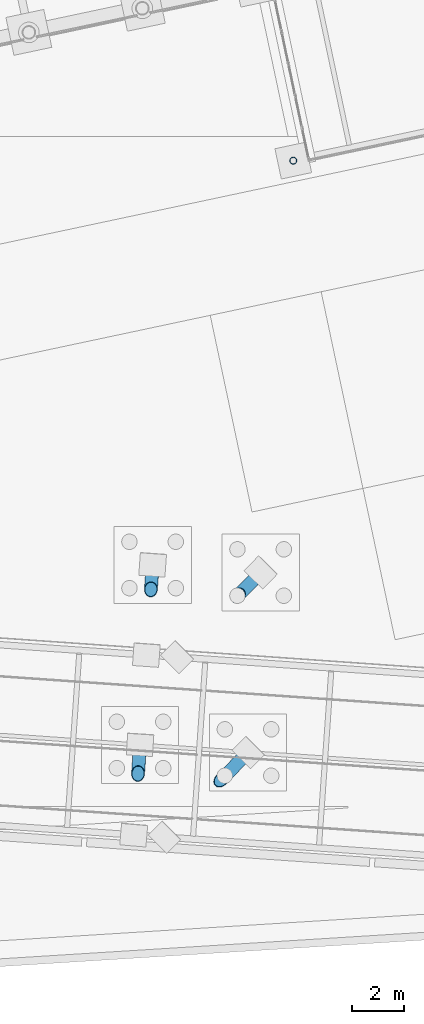
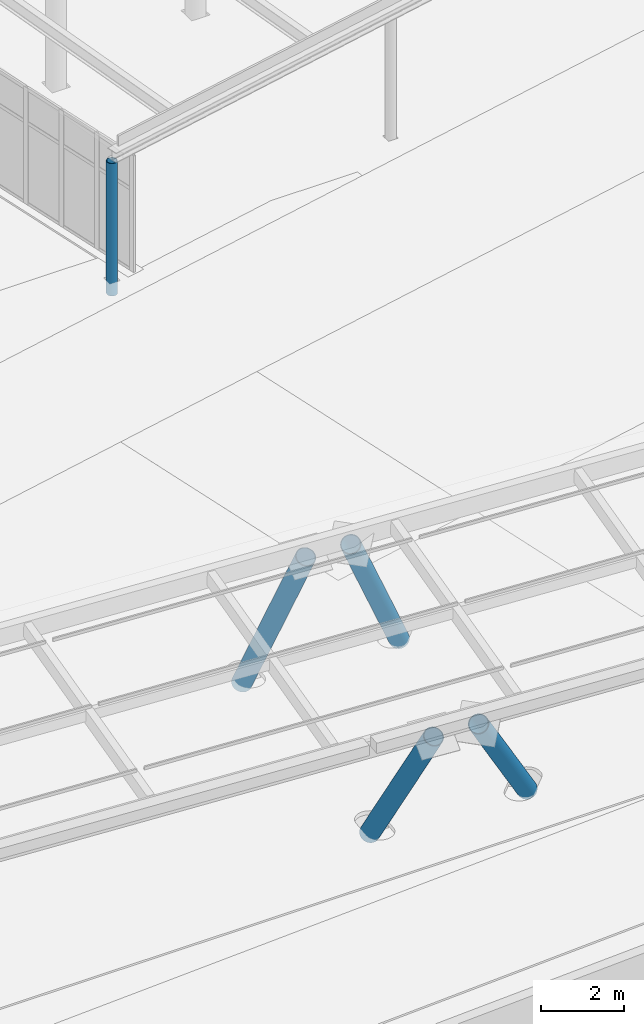
# One storey, part 13 of 239: 5 columns.
"""IFC4 building model written with IfcOpenShell, lengths in metres."""

from ifc_helpers import new_model, si_unit, direction, frame, origin, origin_2d, place, context, subcontext, project, spatial, hollow_circle, extrude, material, material_profile, profile_set, type_object, element, save


model = new_model("IFC4")

# Units and contexts
model_context = context("Model", 3, precision=1e-05, world=origin(), true_north=direction((0.0, 1.0)))
body_context = subcontext(model_context, "Body", "Model", "MODEL_VIEW")
ifc_project = project(units=[si_unit("LENGTHUNIT", "METRE"), si_unit("AREAUNIT", "SQUARE_METRE"), si_unit("VOLUMEUNIT", "CUBIC_METRE"), si_unit("PLANEANGLEUNIT", "RADIAN"), si_unit("MASSUNIT", "GRAM", prefix="KILO")], contexts=[model_context])

# Site, building, storey
site_placement = place(None, origin())
site = spatial("IfcSite", under=ifc_project, at=site_placement, CompositionType="ELEMENT")
building_placement = place(site_placement, origin())
building = spatial("IfcBuilding", under=site, at=building_placement, Name="Okhra Congress Centre", CompositionType="ELEMENT")
storey_placement = place(building_placement, origin())
storey = spatial("IfcBuildingStorey", under=building, at=storey_placement, Name="L00", CompositionType="ELEMENT", Elevation=0.0)

# Columns
ifc_material = material(Name="Steel S355J2H", Category="steel")
ifc_material_profile_1 = material_profile(ifc_material, hollow_circle(Radius=0.136474609375, WallThickness=0.012451171875, at=origin_2d()), Name="CHS 273x12.5")
ifc_profile_set_1 = profile_set([ifc_material_profile_1], Name="Steel S355J2H")
column_type_1 = type_object("IfcColumnType", Name="Porch column CHS 273x12.5", PredefinedType="COLUMN", material=ifc_profile_set_1)
column_1_placement = place(storey_placement, frame((124.089599609375, 33.060546875, -0.39990234375), z_axis=(0.0, 0.0, 1.0), x_axis=(0.978147600734, 0.207911690818, 0.0)))
element("IfcColumn", 1, at=column_1_placement, inside=storey, type_object=column_type_1, Name="Porch column S1", PredefinedType="COLUMN", context=body_context, shape_type="SweptSolid", body=[
    extrude(hollow_circle(Radius=0.136474609375, WallThickness=0.012451171875, at=origin_2d()), origin(), (0.0, 0.0, 1.0), 3.880859375),
])
ifc_material_profile_2 = material_profile(ifc_material, hollow_circle(Radius=0.25390625, WallThickness=0.02001953125, at=origin_2d()), Name="CHS 508x20")
ifc_profile_set_2 = profile_set([ifc_material_profile_2], Name="Steel S355J2H")
column_type_2 = type_object("IfcColumnType", Name="Raking steel strut CHS 508x20", PredefinedType="COLUMN", material=ifc_profile_set_2)
column_2_placement = place(storey_placement, frame((118.144775390625, 10.392578125, -0.39990234375), z_axis=(-0.039823951277, -0.569522327217, 0.821010579533), x_axis=(0.997564163539, -0.069754853754, 0.0)))
element("IfcColumn", 2, at=column_2_placement, inside=storey, type_object=column_type_2, Name="Covered promenade raking strut 7", PredefinedType="COLUMN", context=body_context, shape_type="SweptSolid", body=[
    extrude(hollow_circle(Radius=0.25390625, WallThickness=0.02001953125, at=origin_2d()), origin(), (0.0, 0.0, 1.0), 6.130615234375),
])
column_3_placement = place(storey_placement, frame((122.33447265625, 10.099609375, -0.39990234375), z_axis=(-0.474246085992, -0.480899410174, 0.737445867312), x_axis=(0.712015050668, -0.702164202749, 0.0)))
element("IfcColumn", 3, at=column_3_placement, inside=storey, type_object=column_type_2, Name="Covered promenade raking strut 8", PredefinedType="COLUMN", context=body_context, shape_type="SweptSolid", body=[
    extrude(hollow_circle(Radius=0.25390625, WallThickness=0.02001953125, at=origin_2d()), origin(), (0.0, 0.0, 1.0), 6.8251953125),
])
column_4_placement = place(storey_placement, frame((118.633056640625, 17.37548828125, -0.39990234375), z_axis=(-0.035620962682, -0.509415387318, 0.859783176261), x_axis=(0.997564163539, -0.069754853754, 0.0)))
element("IfcColumn", 4, at=column_4_placement, inside=storey, type_object=column_type_2, Name="Covered promenade raking strut 9", PredefinedType="COLUMN", context=body_context, shape_type="SweptSolid", body=[
    extrude(hollow_circle(Radius=0.25390625, WallThickness=0.02001953125, at=origin_2d()), origin(), (0.0, 0.0, 1.0), 6.853759765625),
])
column_5_placement = place(storey_placement, frame((122.82275390625, 17.08251953125, -0.39990234375), z_axis=(-0.432633030467, -0.438702554051, 0.787634896394), x_axis=(0.712015050668, -0.702164202749, 0.0)))
element("IfcColumn", 5, at=column_5_placement, inside=storey, type_object=column_type_2, Name="Covered promenade raking strut 10", PredefinedType="COLUMN", context=body_context, shape_type="SweptSolid", body=[
    extrude(hollow_circle(Radius=0.25390625, WallThickness=0.02001953125, at=origin_2d()), origin(), (0.0, 0.0, 1.0), 7.481689453125),
])

save(model, "model.ifc")
